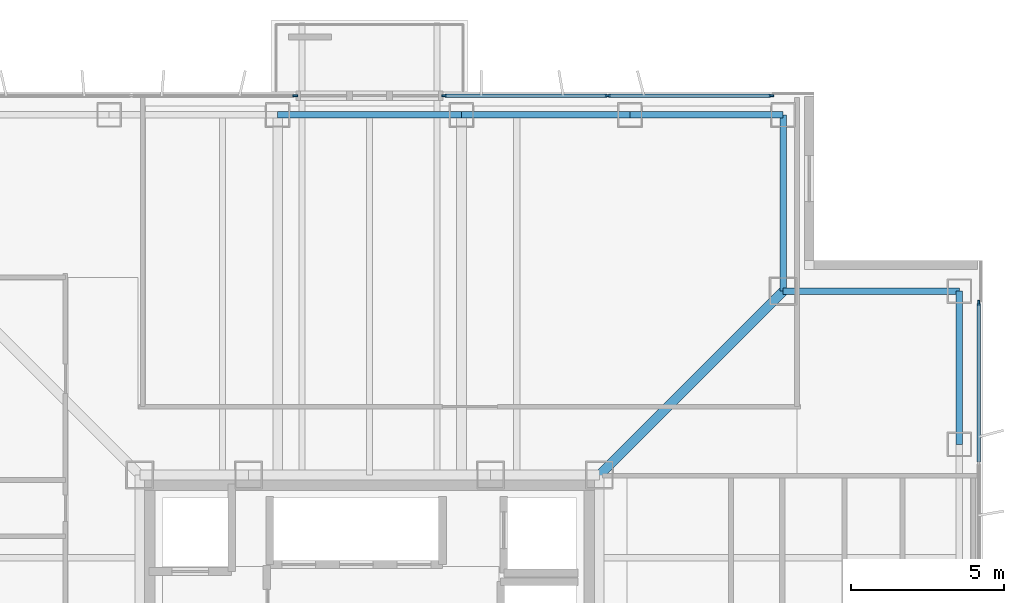
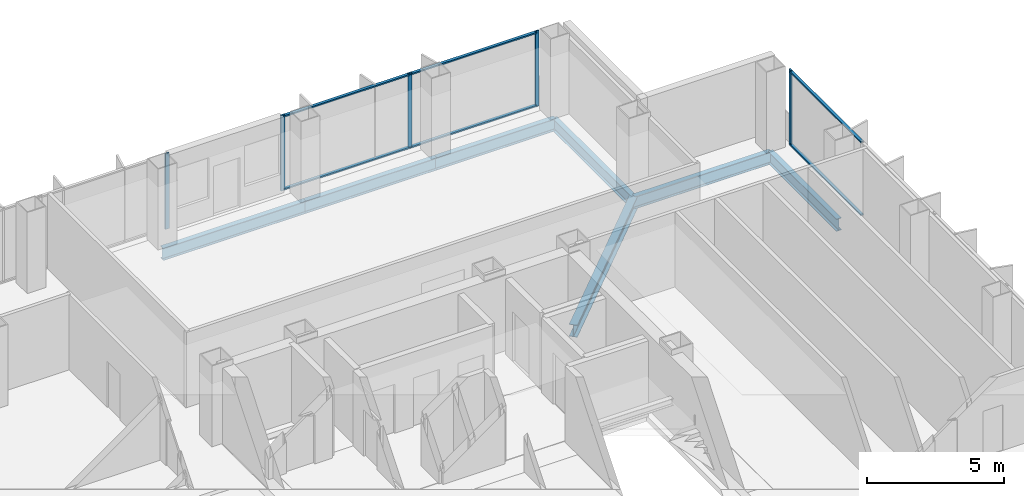
# One storey, part 7 of 13: 11 members, 7 beams, 3 elements without a shape of their own.
"""IFC4 building model written with IfcOpenShell, lengths in metres."""

from ifc_helpers import new_model, si_unit, direction, frame, origin, origin_2d, place, context, subcontext, project, spatial, rectangle, i_section, extrude, material, layer, layer_set, material_profile, profile_set, type_object, element, aggregate, save


model = new_model("IFC4")

# Units and contexts
model_context = context("Model", 3, precision=1e-05, world=origin(), true_north=direction((0.0, 1.0)))
body_context = subcontext(model_context, "Body", "Model", "MODEL_VIEW")
ifc_project = project(units=[si_unit("LENGTHUNIT", "METRE"), si_unit("AREAUNIT", "SQUARE_METRE"), si_unit("VOLUMEUNIT", "CUBIC_METRE"), si_unit("PLANEANGLEUNIT", "RADIAN"), si_unit("MASSUNIT", "GRAM", prefix="KILO")], contexts=[model_context])

# Site, building, storey
site_placement = place(None, origin())
site = spatial("IfcSite", under=ifc_project, at=site_placement, CompositionType="ELEMENT")
building_placement = place(site_placement, origin())
building = spatial("IfcBuilding", under=site, at=building_placement, Name="Trevonay Congress Spire", CompositionType="ELEMENT")
storey_placement = place(building_placement, frame((0.0, 0.0, 205.800048828125)))
storey = spatial("IfcBuildingStorey", under=building, at=storey_placement, Name="L53", CompositionType="ELEMENT", Elevation=205.800048828125)

# Beams
ifc_material_1 = material(Name="Steel ASTM A572 Grade 50", Category="steel")
ifc_material_profile_1 = material_profile(ifc_material_1, i_section(OverallWidth=0.31201171875, OverallDepth=0.54296875, WebThickness=0.0126953125, FlangeThickness=0.020263671875, FilletRadius=0.014892578125, at=origin_2d()), Name="W530x150")
ifc_profile_set_1 = profile_set([ifc_material_profile_1], Name="Steel ASTM A572 Grade 50")
beam_type_1 = type_object("IfcBeamType", Name="BM-GIRD-W530X150", PredefinedType="BEAM", material=ifc_profile_set_1)
beam_1_placement = place(storey_placement, frame((7.5, 7.5, -0.511474609375), z_axis=(0.707106781187, 0.707106781187, 0.0), x_axis=(-0.707106781187, 0.707106781187, 0.0)))
element("IfcBeam", 1, at=beam_1_placement, inside=storey, type_object=beam_type_1, Name="L53 structural beam BM-L53-CDNE", PredefinedType="BEAM", context=body_context, shape_type="SweptSolid", body=[
    extrude(i_section(OverallWidth=0.31201171875, OverallDepth=0.54296875, WebThickness=0.0126953125, FlangeThickness=0.020263671875, FilletRadius=0.014892578125, at=origin_2d()), origin(), (0.0, 0.0, 1.0), 8.4853515625),
])
ifc_material_profile_2 = material_profile(ifc_material_1, i_section(OverallWidth=0.2119140625, OverallDepth=0.5439453125, WebThickness=0.01318359375, FlangeThickness=0.021240234375, FilletRadius=0.014892578125, at=origin_2d()), Name="W530x123")
ifc_profile_set_2 = profile_set([ifc_material_profile_2], Name="Steel ASTM A572 Grade 50")
beam_type_2 = type_object("IfcBeamType", Name="BM-RING-W530X123", PredefinedType="BEAM", material=ifc_profile_set_2)
beam_2_placement = place(storey_placement, frame((-3.0, 19.25, -0.511962890625), z_axis=(1.0, 0.0, 0.0), x_axis=(0.0, 1.0, 0.0)))
element("IfcBeam", 2, at=beam_2_placement, inside=storey, type_object=beam_type_2, Name="L53 structural beam BM-L53-PN3", PredefinedType="BEAM", context=body_context, shape_type="SweptSolid", body=[
    extrude(i_section(OverallWidth=0.2119140625, OverallDepth=0.5439453125, WebThickness=0.01318359375, FlangeThickness=0.021240234375, FilletRadius=0.014892578125, at=origin_2d()), origin(), (0.0, 0.0, 1.0), 6.0),
])
beam_3_placement = place(storey_placement, frame((3.0, 19.25, -0.511962890625), z_axis=(1.0, 0.0, 0.0), x_axis=(0.0, 1.0, 0.0)))
element("IfcBeam", 3, at=beam_3_placement, inside=storey, type_object=beam_type_2, Name="L53 structural beam BM-L53-PN4", PredefinedType="BEAM", context=body_context, shape_type="SweptSolid", body=[
    extrude(i_section(OverallWidth=0.2119140625, OverallDepth=0.5439453125, WebThickness=0.01318359375, FlangeThickness=0.021240234375, FilletRadius=0.014892578125, at=origin_2d()), origin(), (0.0, 0.0, 1.0), 5.5),
])
for number, where, z_axis, x_axis, name in (
    (4, (8.5, 19.25, -0.511962890625), (1.0, 0.0, 0.0), (0.0, 1.0, 0.0), "L53 structural beam BM-L53-PN5"),
    (5, (19.25, 8.5, -0.511962890625), (0.0, 1.0, 0.0), (-1.0, 0.0, 0.0), "L53 structural beam BM-L53-PE5"),
):
    element("IfcBeam", number, at=place(storey_placement, frame(where, z_axis=z_axis, x_axis=x_axis)), inside=storey, type_object=beam_type_2, Name=name, PredefinedType="BEAM", context=body_context, shape_type="SweptSolid", body=[
        extrude(i_section(OverallWidth=0.2119140625, OverallDepth=0.5439453125, WebThickness=0.01318359375, FlangeThickness=0.021240234375, FilletRadius=0.014892578125, at=origin_2d()), origin(), (0.0, 0.0, 1.0), 5.0),
    ])
for number, where, z_axis, x_axis, name in (
    (6, (13.5, 19.25, -0.511962890625), (0.0, -1.0, 0.0), (1.0, 0.0, 0.0), "L53 structural beam BM-L53-N1NE"),
    (7, (19.25, 13.5, -0.511962890625), (-1.0, 0.0, 0.0), (0.0, -1.0, 0.0), "L53 structural beam BM-L53-N2NE"),
):
    element("IfcBeam", number, at=place(storey_placement, frame(where, z_axis=z_axis, x_axis=x_axis)), inside=storey, type_object=beam_type_2, Name=name, PredefinedType="BEAM", context=body_context, shape_type="SweptSolid", body=[
        extrude(i_section(OverallWidth=0.2119140625, OverallDepth=0.5439453125, WebThickness=0.01318359375, FlangeThickness=0.021240234375, FilletRadius=0.014892578125, at=origin_2d()), origin(), (0.0, 0.0, 1.0), 5.75),
    ])

# Curtain wall, member
ifc_material_2 = material(Name="Pale Anodised Aluminium EN AW-6063-T6", Category="aluminium")
ifc_layer = layer(ifc_material_2, 0.169921875, Name="Pale Anodised Aluminium EN AW-6063-T6")
ifc_layer_set = layer_set([ifc_layer], Name="Pale Anodised Aluminium EN AW-6063-T6")
curtain_wall_type = type_object("IfcCurtainWallType", Name="CW-SYS04-CORP-PALE-METAL", PredefinedType="NOTDEFINED", material=ifc_layer_set)
curtain_wall_1_placement = place(storey_placement, origin())
curtain_wall_1 = element("IfcCurtainWall", 8, at=curtain_wall_1_placement, inside=storey, type_object=curtain_wall_type, Name="L53 NA unitised curtain wall", PredefinedType="NOTDEFINED")
ifc_material_profile_3 = material_profile(ifc_material_2, rectangle(XDim=0.06005859375, YDim=0.159912109375, at=origin_2d()), Name="CW-MULLION-160-ALUMINIUM")
ifc_profile_set_3 = profile_set([ifc_material_profile_3], Name="Pale Anodised Aluminium EN AW-6063-T6")
member_type_1 = type_object("IfcMemberType", Name="CW-MULLION-160-ALUMINIUM", PredefinedType="MULLION", material=ifc_profile_set_3)
member_1_placement = place(storey_placement, frame((-2.429931640625, 19.8798828125, 0.0), z_axis=(0.0, 0.0, 1.0), x_axis=(0.0, 1.0, 0.0)))
member_1 = element("IfcMember", 9, at=member_1_placement, type_object=member_type_1, Name="CW04 mullion 3", PredefinedType="MULLION", context=body_context, shape_type="SweptSolid", body=[
    extrude(rectangle(XDim=0.06005859375, YDim=0.159912109375, at=origin_2d()), origin(), (0.0, 0.0, 1.0), 3.35986328125),
])
aggregate(curtain_wall_1, [member_1])

# Curtain wall, members
curtain_wall_2_placement = place(storey_placement, origin())
curtain_wall_2 = element("IfcCurtainWall", 10, at=curtain_wall_2_placement, inside=storey, type_object=curtain_wall_type, Name="L53 NB unitised curtain wall", PredefinedType="NOTDEFINED")
member_2_placement = place(storey_placement, frame((2.429931640625, 19.8798828125, 0.0), z_axis=(0.0, 0.0, 1.0), x_axis=(0.0, 1.0, 0.0)))
member_2 = element("IfcMember", 11, at=member_2_placement, type_object=member_type_1, Name="CW04 mullion 1", PredefinedType="MULLION", context=body_context, shape_type="SweptSolid", body=[
    extrude(rectangle(XDim=0.06005859375, YDim=0.159912109375, at=origin_2d()), origin(), (0.0, 0.0, 1.0), 3.35986328125),
])
member_3_placement = place(storey_placement, frame((7.77490234375, 19.8798828125, 0.0), z_axis=(0.0, 0.0, 1.0), x_axis=(0.0, 1.0, 0.0)))
member_3 = element("IfcMember", 12, at=member_3_placement, type_object=member_type_1, Name="CW04 mullion 2", PredefinedType="MULLION", context=body_context, shape_type="SweptSolid", body=[
    extrude(rectangle(XDim=0.06005859375, YDim=0.159912109375, at=origin_2d()), origin(), (0.0, 0.0, 1.0), 3.35986328125),
])
member_4_placement = place(storey_placement, frame((13.1201171875, 19.8798828125, 0.0), z_axis=(0.0, 0.0, 1.0), x_axis=(0.0, 1.0, 0.0)))
member_4 = element("IfcMember", 13, at=member_4_placement, type_object=member_type_1, Name="CW04 mullion 3", PredefinedType="MULLION", context=body_context, shape_type="SweptSolid", body=[
    extrude(rectangle(XDim=0.06005859375, YDim=0.159912109375, at=origin_2d()), origin(), (0.0, 0.0, 1.0), 3.35986328125),
])

# Curtain wall, member
curtain_wall_3_placement = place(storey_placement, origin())
curtain_wall_3 = element("IfcCurtainWall", 14, at=curtain_wall_3_placement, inside=storey, type_object=curtain_wall_type, Name="L53 E unitised curtain wall", PredefinedType="NOTDEFINED")
member_5_placement = place(storey_placement, frame((19.8798828125, 13.1201171875, 0.0), z_axis=(0.0, 0.0, 1.0), x_axis=(-1.0, 0.0, 0.0)))
member_5 = element("IfcMember", 15, at=member_5_placement, type_object=member_type_1, Name="CW04 mullion 6", PredefinedType="MULLION", context=body_context, shape_type="SweptSolid", body=[
    extrude(rectangle(XDim=0.06005859375, YDim=0.159912109375, at=origin_2d()), origin(), (0.0, 0.0, 1.0), 3.35986328125),
])

# Member
ifc_material_profile_4 = material_profile(ifc_material_2, rectangle(XDim=0.1201171875, YDim=0.06005859375, at=origin_2d()), Name="CW-TRANSOM-120-ALUMINIUM")
ifc_profile_set_4 = profile_set([ifc_material_profile_4], Name="Pale Anodised Aluminium EN AW-6063-T6")
member_type_2 = type_object("IfcMemberType", Name="CW-TRANSOM-120-ALUMINIUM", PredefinedType="USERDEFINED", material=ifc_profile_set_4)
member_6_placement = place(storey_placement, frame((2.4599609375, 19.8798828125, 0.06005859375), z_axis=(1.0, 0.0, 0.0), x_axis=(0.0, 1.0, 0.0)))
member_6 = element("IfcMember", 16, at=member_6_placement, type_object=member_type_2, Name="CW04 transom 1.1", ObjectType="TRANSOM", PredefinedType="USERDEFINED", context=body_context, shape_type="SweptSolid", body=[
    extrude(rectangle(XDim=0.1201171875, YDim=0.06005859375, at=origin_2d()), origin(), (0.0, 0.0, 1.0), 5.28515625),
])

member_7_placement = place(storey_placement, frame((2.4599609375, 19.8798828125, 3.300048828125), z_axis=(1.0, 0.0, 0.0), x_axis=(0.0, 1.0, 0.0)))
member_7 = element("IfcMember", 17, at=member_7_placement, type_object=member_type_2, Name="CW04 transom 1.2", ObjectType="TRANSOM", PredefinedType="USERDEFINED", context=body_context, shape_type="SweptSolid", body=[
    extrude(rectangle(XDim=0.1201171875, YDim=0.06005859375, at=origin_2d()), origin(), (0.0, 0.0, 1.0), 5.28515625),
])

member_8_placement = place(storey_placement, frame((7.804931640625, 19.8798828125, 0.06005859375), z_axis=(1.0, 0.0, 0.0), x_axis=(0.0, 1.0, 0.0)))
member_8 = element("IfcMember", 18, at=member_8_placement, type_object=member_type_2, Name="CW04 transom 2.1", ObjectType="TRANSOM", PredefinedType="USERDEFINED", context=body_context, shape_type="SweptSolid", body=[
    extrude(rectangle(XDim=0.1201171875, YDim=0.06005859375, at=origin_2d()), origin(), (0.0, 0.0, 1.0), 5.28515625),
])

member_9_placement = place(storey_placement, frame((7.804931640625, 19.8798828125, 3.300048828125), z_axis=(1.0, 0.0, 0.0), x_axis=(0.0, 1.0, 0.0)))
member_9 = element("IfcMember", 19, at=member_9_placement, type_object=member_type_2, Name="CW04 transom 2.2", ObjectType="TRANSOM", PredefinedType="USERDEFINED", context=body_context, shape_type="SweptSolid", body=[
    extrude(rectangle(XDim=0.1201171875, YDim=0.06005859375, at=origin_2d()), origin(), (0.0, 0.0, 1.0), 5.28515625),
])

aggregate(curtain_wall_2, [member_2, member_3, member_4, member_6, member_7, member_8, member_9])

member_10_placement = place(storey_placement, frame((19.8798828125, 7.919921875, 0.06005859375), z_axis=(0.0, 1.0, 0.0), x_axis=(-1.0, 0.0, 0.0)))
member_10 = element("IfcMember", 20, at=member_10_placement, type_object=member_type_2, Name="CW04 transom 5.1", ObjectType="TRANSOM", PredefinedType="USERDEFINED", context=body_context, shape_type="SweptSolid", body=[
    extrude(rectangle(XDim=0.1201171875, YDim=0.06005859375, at=origin_2d()), origin(), (0.0, 0.0, 1.0), 5.170166015625),
])

member_11_placement = place(storey_placement, frame((19.8798828125, 7.919921875, 3.300048828125), z_axis=(0.0, 1.0, 0.0), x_axis=(-1.0, 0.0, 0.0)))
member_11 = element("IfcMember", 21, at=member_11_placement, type_object=member_type_2, Name="CW04 transom 5.2", ObjectType="TRANSOM", PredefinedType="USERDEFINED", context=body_context, shape_type="SweptSolid", body=[
    extrude(rectangle(XDim=0.1201171875, YDim=0.06005859375, at=origin_2d()), origin(), (0.0, 0.0, 1.0), 5.170166015625),
])

aggregate(curtain_wall_3, [member_5, member_10, member_11])

save(model, "model.ifc")
